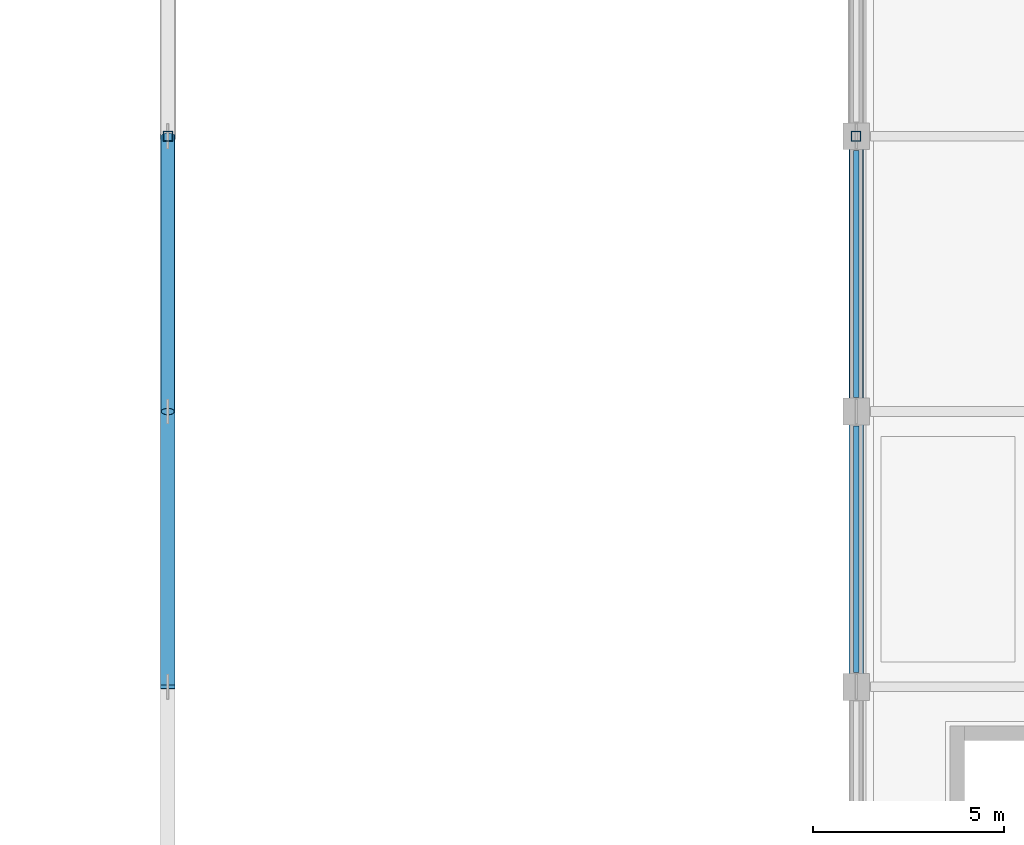
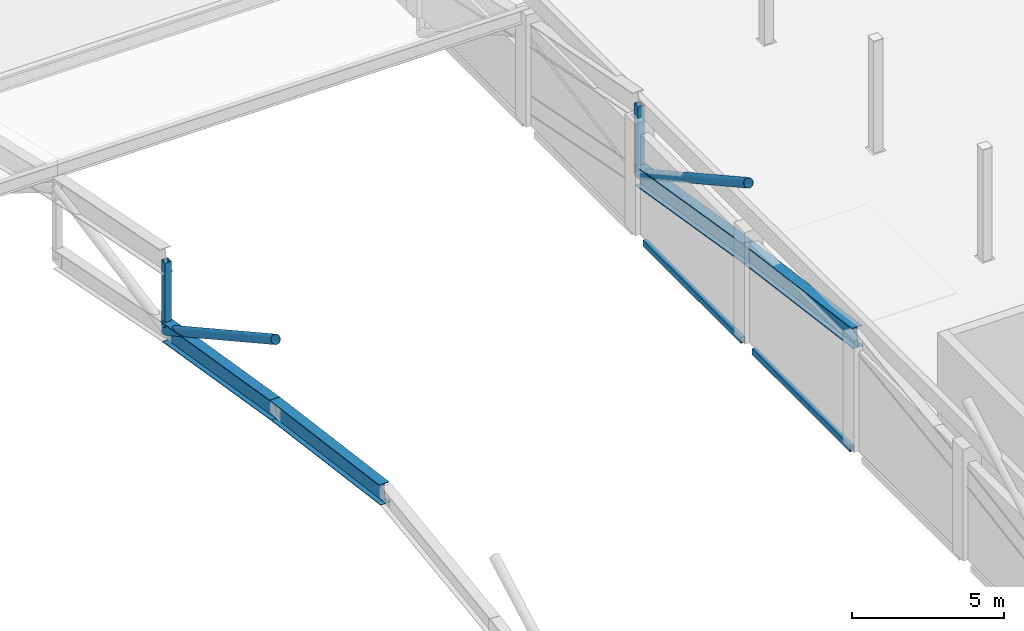
# One storey, part 34 of 124: 8 members, 2 beams.
"""IFC4 building model written with IfcOpenShell, lengths in metres."""

from ifc_helpers import new_model, si_unit, direction, frame, origin, origin_2d, place, context, subcontext, project, spatial, hollow_rectangle, hollow_circle, i_section, extrude, material, material_profile, profile_set, type_object, element, save


model = new_model("IFC4")

# Units and contexts
model_context = context("Model", 3, precision=1e-05, world=origin(), true_north=direction((0.0, 1.0)))
body_context = subcontext(model_context, "Body", "Model", "MODEL_VIEW")
ifc_project = project(units=[si_unit("LENGTHUNIT", "METRE"), si_unit("AREAUNIT", "SQUARE_METRE"), si_unit("VOLUMEUNIT", "CUBIC_METRE"), si_unit("PLANEANGLEUNIT", "RADIAN"), si_unit("MASSUNIT", "GRAM", prefix="KILO")], contexts=[model_context])

# Site, building, storey
site_placement = place(None, origin())
site = spatial("IfcSite", under=ifc_project, at=site_placement, CompositionType="ELEMENT")
building_placement = place(site_placement, origin())
building = spatial("IfcBuilding", under=site, at=building_placement, Name="Celestram Park Convention Centre", CompositionType="ELEMENT")
storey_placement = place(building_placement, frame((0.0, 0.0, 15.300048828125)))
storey = spatial("IfcBuildingStorey", under=building, at=storey_placement, Name="L03", CompositionType="ELEMENT", Elevation=15.300048828125)

# Members
ifc_material_1 = material(Name="Steel ASTM A500 Grade C", Category="steel")
ifc_material_profile_1 = material_profile(ifc_material_1, hollow_circle(Radius=0.177978515625, WallThickness=0.011962890625, at=origin_2d()), Name="CHS356X12")
ifc_profile_set_1 = profile_set([ifc_material_profile_1], Name="Steel ASTM A500 Grade C")
member_type_1 = type_object("IfcMemberType", Name="STR-BRC-CHS356", PredefinedType="BRACE", material=ifc_profile_set_1)
for number, where, z_axis, x_axis, name in (
    (1, (108.0, 72.0, 6.170166015625), (0.0, 0.87474706166, -0.484579795407), (-1.0, 0.0, 0.0), "V1 arch web diagonal"),
    (2, (126.0, 72.0, 6.170166015625), (0.0, 0.87474706166, -0.484579795407), (-1.0, 0.0, 0.0), "V1 arch web diagonal"),
):
    element("IfcMember", number, at=place(storey_placement, frame(where, z_axis=z_axis, x_axis=x_axis)), inside=storey, type_object=member_type_1, Name=name, PredefinedType="BRACE", context=body_context, shape_type="SweptSolid", body=[
        extrude(hollow_circle(Radius=0.177978515625, WallThickness=0.011962890625, at=origin_2d()), origin(), (0.0, 0.0, 1.0), 8.23095703125),
    ])
ifc_material_2 = material(Name="Steel ASTM A992 Grade 50", Category="steel")
ifc_material_profile_2 = material_profile(ifc_material_2, i_section(OverallWidth=0.381103515625, OverallDepth=0.77197265625, WebThickness=0.0166015625, FlangeThickness=0.027099609375, at=origin_2d()), Name="W30X173")
ifc_profile_set_2 = profile_set([ifc_material_profile_2], Name="Steel ASTM A992 Grade 50")
member_type_2 = type_object("IfcMemberType", Name="STR-CHD-W30X173", PredefinedType="CHORD", material=ifc_profile_set_2)
member_1_placement = place(storey_placement, frame((108.0, 64.800048828125, 4.328369140625), z_axis=(0.0, 0.991259283276, -0.131928136952), x_axis=(-1.0, 0.0, 0.0)))
element("IfcMember", 3, at=member_1_placement, inside=storey, type_object=member_type_2, Name="V1 arch bottom chord", PredefinedType="CHORD", context=body_context, shape_type="SweptSolid", body=[
    extrude(i_section(OverallWidth=0.381103515625, OverallDepth=0.77197265625, WebThickness=0.0166015625, FlangeThickness=0.027099609375, at=origin_2d()), origin(), (0.0, 0.0, 1.0), 7.263427734375),
])
member_2_placement = place(storey_placement, frame((108.0, 72.0, 3.3701171875), z_axis=(0.0, 0.986648621514, -0.162863432557), x_axis=(-1.0, 0.0, 0.0)))
element("IfcMember", 4, at=member_2_placement, inside=storey, type_object=member_type_2, Name="V1 arch bottom chord", PredefinedType="CHORD", context=body_context, shape_type="SweptSolid", body=[
    extrude(i_section(OverallWidth=0.381103515625, OverallDepth=0.77197265625, WebThickness=0.0166015625, FlangeThickness=0.027099609375, at=origin_2d()), origin(), (0.0, 0.0, 1.0), 7.29736328125),
])
member_3_placement = place(storey_placement, frame((126.0, 64.800048828125, 4.328369140625), z_axis=(0.0, 0.991259283276, -0.131928136952), x_axis=(-1.0, 0.0, 0.0)))
element("IfcMember", 5, at=member_3_placement, inside=storey, type_object=member_type_2, Name="V1 arch bottom chord", PredefinedType="CHORD", context=body_context, shape_type="SweptSolid", body=[
    extrude(i_section(OverallWidth=0.381103515625, OverallDepth=0.77197265625, WebThickness=0.0166015625, FlangeThickness=0.027099609375, at=origin_2d()), origin(), (0.0, 0.0, 1.0), 7.263427734375),
])
member_4_placement = place(storey_placement, frame((126.0, 72.0, 3.3701171875), z_axis=(0.0, 0.986648621514, -0.162863432557), x_axis=(-1.0, 0.0, 0.0)))
element("IfcMember", 6, at=member_4_placement, inside=storey, type_object=member_type_2, Name="V1 arch bottom chord", PredefinedType="CHORD", context=body_context, shape_type="SweptSolid", body=[
    extrude(i_section(OverallWidth=0.381103515625, OverallDepth=0.77197265625, WebThickness=0.0166015625, FlangeThickness=0.027099609375, at=origin_2d()), origin(), (0.0, 0.0, 1.0), 7.29736328125),
])

# Beams
ifc_material_profile_3 = material_profile(ifc_material_1, hollow_rectangle(XDim=0.14990234375, YDim=0.25, WallThickness=0.010009765625, at=origin_2d()), Name="HSS250X150X10")
ifc_profile_set_3 = profile_set([ifc_material_profile_3], Name="Steel ASTM A500 Grade C")
beam_type = type_object("IfcBeamType", Name="STR-SPN-HSS250X150", PredefinedType="SPANDREL", material=ifc_profile_set_3)
for number, where, z_axis, x_axis, name in (
    (7, (126.0, 65.173095703125, -0.375), (0.0, 1.0, 0.0), (-1.0, 0.0, 0.0), "Primary Y-girder BG-L03-0155"),
    (8, (126.0, 72.373046875, -0.375), (0.0, 1.0, 0.0), (-1.0, 0.0, 0.0), "Primary Y-girder BG-L03-0157"),
):
    element("IfcBeam", number, at=place(storey_placement, frame(where, z_axis=z_axis, x_axis=x_axis)), inside=storey, type_object=beam_type, Name=name, PredefinedType="SPANDREL", context=body_context, shape_type="SweptSolid", body=[
        extrude(hollow_rectangle(XDim=0.14990234375, YDim=0.25, WallThickness=0.010009765625, at=origin_2d()), origin(), (0.0, 0.0, 1.0), 6.453857421875),
    ])

# Members
ifc_material_profile_4 = material_profile(ifc_material_1, hollow_rectangle(XDim=0.25, YDim=0.25, WallThickness=0.011962890625, at=origin_2d()), Name="HSS250X250X12")
ifc_profile_set_4 = profile_set([ifc_material_profile_4], Name="Steel ASTM A500 Grade C")
member_type_3 = type_object("IfcMemberType", Name="STR-STR-HSS250", PredefinedType="STRUT", material=ifc_profile_set_4)
for number, where, z_axis, x_axis, name in (
    (9, (108.0, 79.199951171875, 2.181640625), (0.0, 0.0, 1.0), (1.0, 0.0, 0.0), "V1 arch vertical strut"),
    (10, (126.0, 79.199951171875, 2.181640625), (0.0, 0.0, 1.0), (1.0, 0.0, 0.0), "V1 arch vertical strut"),
):
    element("IfcMember", number, at=place(storey_placement, frame(where, z_axis=z_axis, x_axis=x_axis)), inside=storey, type_object=member_type_3, Name=name, PredefinedType="STRUT", context=body_context, shape_type="SweptSolid", body=[
        extrude(hollow_rectangle(XDim=0.25, YDim=0.25, WallThickness=0.011962890625, at=origin_2d()), origin(), (0.0, 0.0, 1.0), 2.800048828125),
    ])

save(model, "model.ifc")
